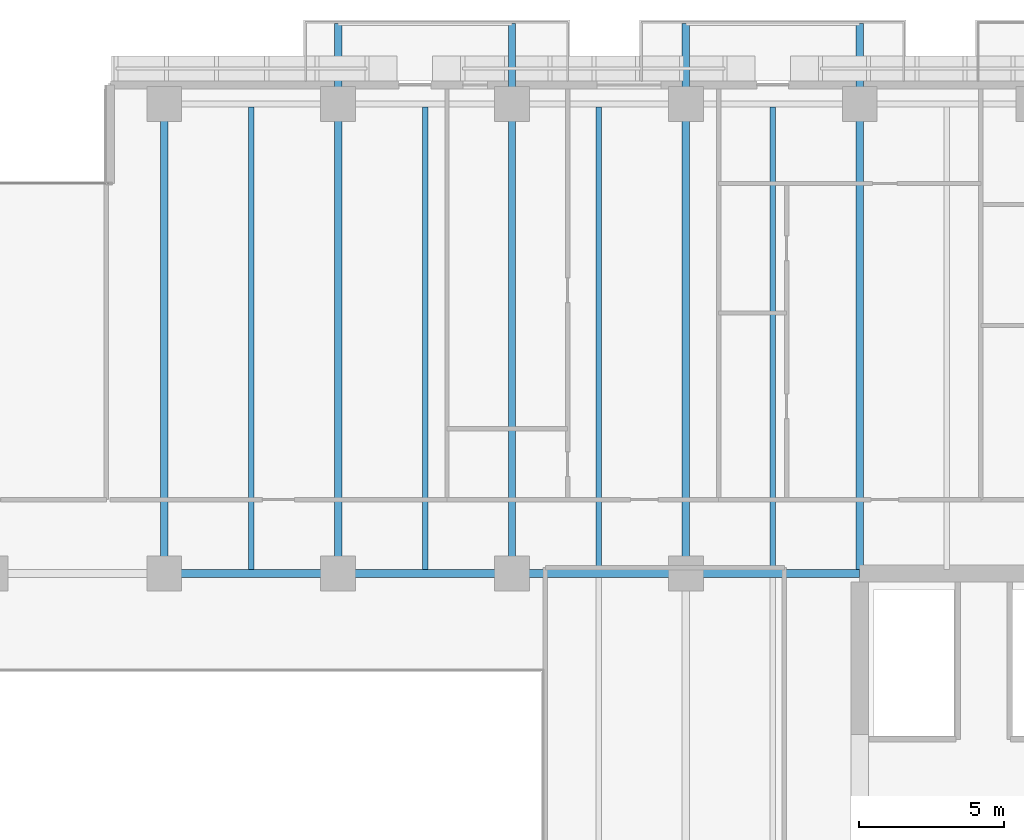
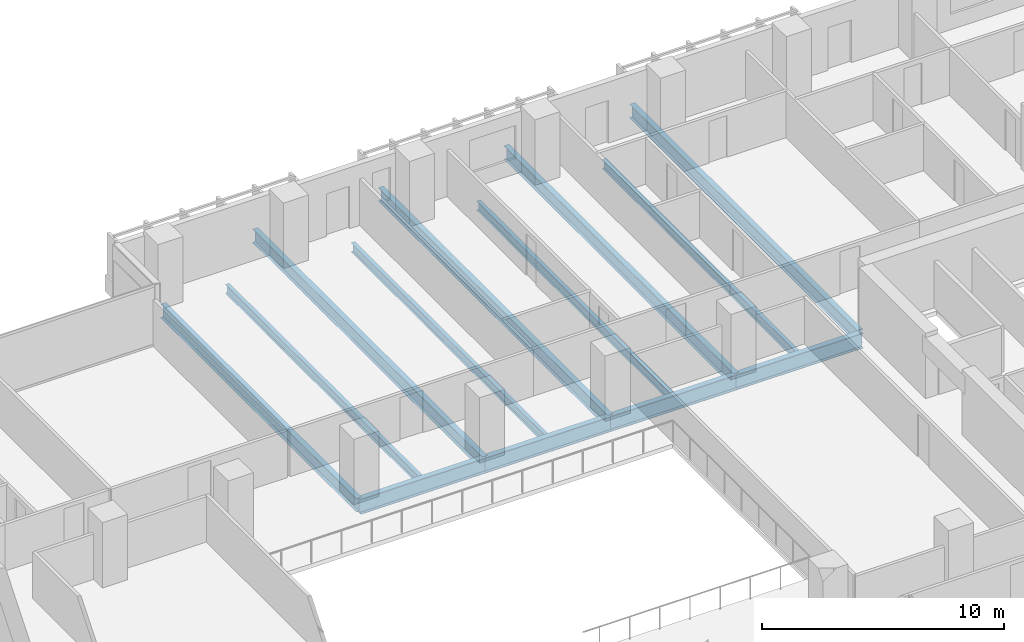
# One storey, part 7 of 25: 13 beams.
"""IFC4 building model written with IfcOpenShell, lengths in metres."""

from ifc_helpers import new_model, si_unit, direction, frame, origin, origin_2d, place, context, subcontext, project, spatial, i_section, extrude, material, material_profile, profile_set, type_object, element, save


model = new_model("IFC4")

# Units and contexts
model_context = context("Model", 3, precision=1e-05, world=origin(), true_north=direction((0.0, 1.0)))
body_context = subcontext(model_context, "Body", "Model", "MODEL_VIEW")
ifc_project = project(units=[si_unit("LENGTHUNIT", "METRE"), si_unit("AREAUNIT", "SQUARE_METRE"), si_unit("VOLUMEUNIT", "CUBIC_METRE"), si_unit("PLANEANGLEUNIT", "RADIAN"), si_unit("MASSUNIT", "GRAM", prefix="KILO")], contexts=[model_context])

# Site, building, storey
site_placement = place(None, origin())
site = spatial("IfcSite", under=ifc_project, at=site_placement, CompositionType="ELEMENT")
building_placement = place(site_placement, origin())
building = spatial("IfcBuilding", under=site, at=building_placement, Name="Tanjung Sevakor Pilgrim Tower", CompositionType="ELEMENT")
storey_placement = place(building_placement, frame((0.0, 0.0, 42.239990234375)))
storey = spatial("IfcBuildingStorey", under=building, at=storey_placement, Name="L11", CompositionType="ELEMENT", Elevation=42.239990234375)

# Beams
ifc_material_1 = material(Name="Steel S355J2", Category="steel")
ifc_material_profile_1 = material_profile(ifc_material_1, i_section(OverallWidth=0.26806640625, OverallDepth=0.769775390625, WebThickness=0.015625, FlangeThickness=0.025390625, FilletRadius=0.0166015625, at=origin_2d()))
ifc_profile_set_1 = profile_set([ifc_material_profile_1], Name="Steel S355J2")
beam_type_1 = type_object("IfcBeamType", Name="BM-B-G1-UB_762x267x197", PredefinedType="BEAM", material=ifc_profile_set_1)
for number, where, z_axis, x_axis, name in (
    (1, (54.0, 42.60009765625, -0.60498046875), (1.0, 0.0, 0.0), (0.0, 1.0, 0.0), "L11 Primary Floor Girder MAIN Y426-05"),
    (2, (60.0, 42.60009765625, -0.60498046875), (1.0, 0.0, 0.0), (0.0, 1.0, 0.0), "L11 Primary Floor Girder MAIN Y426-06"),
    (3, (66.0, 42.60009765625, -0.60498046875), (1.0, 0.0, 0.0), (0.0, 1.0, 0.0), "L11 Primary Floor Girder MAIN Y426-07"),
    (4, (72.0, 42.60009765625, -0.60498046875), (1.0, 0.0, 0.0), (0.0, 1.0, 0.0), "L11 Primary Floor Girder MAIN Y426-08"),
):
    element("IfcBeam", number, at=place(storey_placement, frame(where, z_axis=z_axis, x_axis=x_axis)), inside=storey, type_object=beam_type_1, Name=name, PredefinedType="BEAM", context=body_context, shape_type="SweptSolid", body=[
        extrude(i_section(OverallWidth=0.26806640625, OverallDepth=0.769775390625, WebThickness=0.015625, FlangeThickness=0.025390625, FilletRadius=0.0166015625, at=origin_2d()), origin(), (0.0, 0.0, 1.0), 6.0),
    ])
ifc_material_2 = material(Name="Steel S355J2", Category="steel")
ifc_material_profile_2 = material_profile(ifc_material_2, i_section(OverallWidth=0.25439453125, OverallDepth=0.6875, WebThickness=0.01318359375, FlangeThickness=0.02099609375, FilletRadius=0.01513671875, at=origin_2d()))
ifc_profile_set_2 = profile_set([ifc_material_profile_2], Name="Steel S355J2")
beam_type_2 = type_object("IfcBeamType", Name="BM-B-G2-UB_686x254x152", PredefinedType="BEAM", material=ifc_profile_set_2)
beam_1_placement = place(storey_placement, frame((54.0, 42.60009765625, -0.563720703125), z_axis=(0.0, 1.0, 0.0), x_axis=(-1.0, 0.0, 0.0)))
element("IfcBeam", 5, at=beam_1_placement, inside=storey, type_object=beam_type_2, Name="L11 MAIN Girder 014", PredefinedType="BEAM", context=body_context, shape_type="SweptSolid", body=[
    extrude(i_section(OverallWidth=0.25439453125, OverallDepth=0.6875, WebThickness=0.01318359375, FlangeThickness=0.02099609375, FilletRadius=0.01513671875, at=origin_2d()), origin(), (0.0, 0.0, 1.0), 16.199951171875),
])
for number, where, z_axis, x_axis, name in (
    (6, (60.0, 42.60009765625, -0.563720703125), (0.0, 1.0, 0.0), (-1.0, 0.0, 0.0), "L11 Balcony Cantilever Beam MAIN-N2-1"),
    (7, (66.0, 42.60009765625, -0.563720703125), (0.0, 1.0, 0.0), (-1.0, 0.0, 0.0), "L11 Balcony Cantilever Beam MAIN-N2-2"),
    (8, (72.0, 42.60009765625, -0.563720703125), (0.0, 1.0, 0.0), (-1.0, 0.0, 0.0), "L11 Balcony Cantilever Beam MAIN-N3-1"),
):
    element("IfcBeam", number, at=place(storey_placement, frame(where, z_axis=z_axis, x_axis=x_axis)), inside=storey, type_object=beam_type_2, Name=name, PredefinedType="BEAM", context=body_context, shape_type="SweptSolid", body=[
        extrude(i_section(OverallWidth=0.25439453125, OverallDepth=0.6875, WebThickness=0.01318359375, FlangeThickness=0.02099609375, FilletRadius=0.01513671875, at=origin_2d()), origin(), (0.0, 0.0, 1.0), 18.97998046875),
    ])
beam_2_placement = place(storey_placement, frame((78.0, 42.73388671875, -0.563720703125), z_axis=(0.0, 1.0, 0.0), x_axis=(-1.0, 0.0, 0.0)))
element("IfcBeam", 9, at=beam_2_placement, inside=storey, type_object=beam_type_2, Name="L11 Balcony Cantilever Beam MAIN-N3-2", PredefinedType="BEAM", context=body_context, shape_type="SweptSolid", body=[
    extrude(i_section(OverallWidth=0.25439453125, OverallDepth=0.6875, WebThickness=0.01318359375, FlangeThickness=0.02099609375, FilletRadius=0.01513671875, at=origin_2d()), origin(), (0.0, 0.0, 1.0), 18.84619140625),
])
ifc_material_3 = material(Name="Steel S355J2", Category="steel")
ifc_material_profile_3 = material_profile(ifc_material_3, i_section(OverallWidth=0.19140625, OverallDepth=0.4599609375, WebThickness=0.010009765625, FlangeThickness=0.01611328125, FilletRadius=0.01025390625, at=origin_2d()))
ifc_profile_set_3 = profile_set([ifc_material_profile_3], Name="Steel S355J2")
beam_type_3 = type_object("IfcBeamType", Name="BM-B-J2-UB_457x191x82", PredefinedType="JOIST", material=ifc_profile_set_3)
for number, where, z_axis, x_axis, name in (
    (10, (57.0, 42.73388671875, -0.449951171875), (0.0, 1.0, 0.0), (-1.0, 0.0, 0.0), "L11 MAIN Joist 016"),
    (11, (63.0, 42.73388671875, -0.449951171875), (0.0, 1.0, 0.0), (-1.0, 0.0, 0.0), "L11 MAIN Joist 018"),
    (12, (69.0, 42.73388671875, -0.449951171875), (0.0, 1.0, 0.0), (-1.0, 0.0, 0.0), "L11 MAIN Joist 021"),
    (13, (75.0, 42.73388671875, -0.449951171875), (0.0, 1.0, 0.0), (-1.0, 0.0, 0.0), "L11 MAIN Joist 025"),
):
    element("IfcBeam", number, at=place(storey_placement, frame(where, z_axis=z_axis, x_axis=x_axis)), inside=storey, type_object=beam_type_3, Name=name, PredefinedType="JOIST", context=body_context, shape_type="SweptSolid", body=[
        extrude(i_section(OverallWidth=0.19140625, OverallDepth=0.4599609375, WebThickness=0.010009765625, FlangeThickness=0.01611328125, FilletRadius=0.01025390625, at=origin_2d()), origin(), (0.0, 0.0, 1.0), 15.966064453125),
    ])

save(model, "model.ifc")
